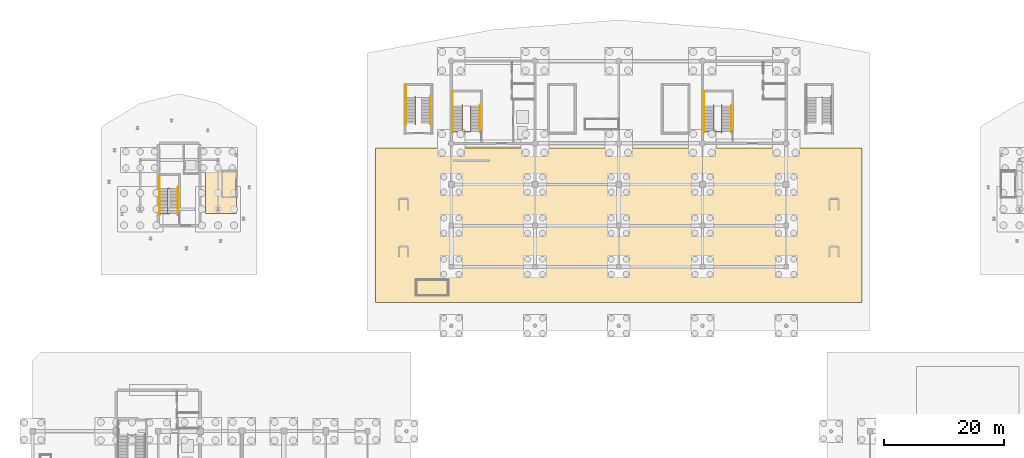
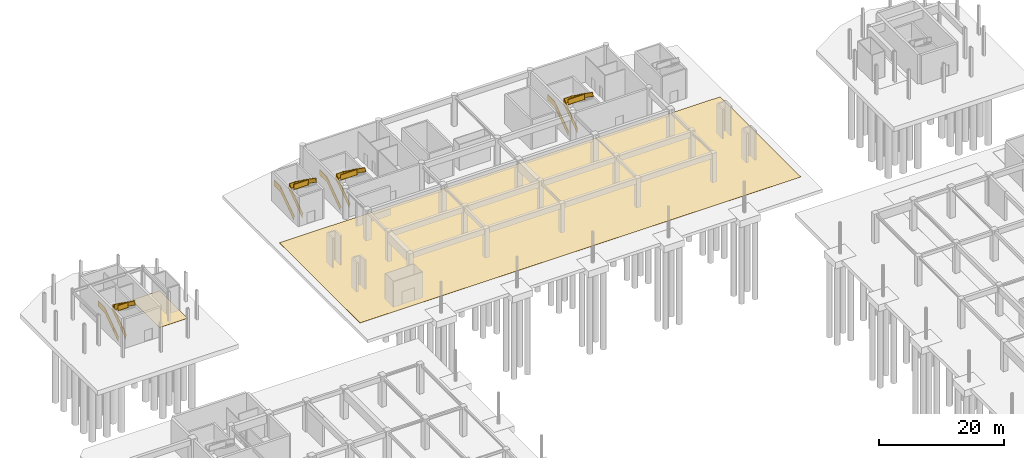
# One storey, part 60 of 62: 12 railings, 2 coverings.
"""IFC4 building model written with IfcOpenShell, lengths in metres."""

from ifc_helpers import new_model, si_unit, direction, frame, origin, origin_2d, place, context, subcontext, project, spatial, polyline, rectangle, outline, extrude, material, layer, layer_set, type_object, element, save


model = new_model("IFC4")

# Units and contexts
model_context = context("Model", 3, precision=1e-05, world=origin(), true_north=direction((0.0, 1.0)))
body_context = subcontext(model_context, "Body", "Model", "MODEL_VIEW")
ifc_project = project(units=[si_unit("LENGTHUNIT", "METRE"), si_unit("AREAUNIT", "SQUARE_METRE"), si_unit("VOLUMEUNIT", "CUBIC_METRE"), si_unit("PLANEANGLEUNIT", "RADIAN"), si_unit("MASSUNIT", "GRAM", prefix="KILO")], contexts=[model_context])

# Site, building, storey
site_placement = place(None, origin())
site = spatial("IfcSite", under=ifc_project, at=site_placement, CompositionType="ELEMENT")
building_placement = place(site_placement, origin())
building = spatial("IfcBuilding", under=site, at=building_placement, Name="Linyun Crest Stadium", CompositionType="ELEMENT")
storey_placement = place(building_placement, frame((0.0, 0.0, -6.0)))
storey = spatial("IfcBuildingStorey", under=building, at=storey_placement, Name="B1", CompositionType="ELEMENT", Elevation=-6.0)

# Coverings
ifc_material_1 = material(Name="Polymeric cushioned multi-sport athletic flooring")
ifc_layer = layer(ifc_material_1, 0.01806640625)
ifc_layer_set = layer_set([ifc_layer], Name="Polymeric cushioned multi-sport athletic flooring")
covering_type = type_object("IfcCoveringType", Name="FLR01", PredefinedType="FLOORING", material=ifc_layer_set)
covering_1_placement = place(storey_placement, origin())
element("IfcCovering", 1, at=covering_1_placement, inside=storey, type_object=covering_type, Name="Athletic flooring FLR01 5", PredefinedType="FLOORING", context=body_context, shape_type="SweptSolid", body=[
    extrude(outline(polyline([(-40.699951171875, 64.89990234375), (40.699951171875, 64.89990234375), (40.699951171875, 90.699951171875), (-40.699951171875, 90.699951171875), (-40.699951171875, 64.89990234375)])), origin(), (0.0, 0.0, 1.0), 0.01806640625),
])
covering_2_placement = place(storey_placement, origin())
element("IfcCovering", 2, at=covering_2_placement, inside=storey, type_object=covering_type, Name="Athletic flooring FLR01 66", PredefinedType="FLOORING", context=body_context, shape_type="SweptSolid", body=[
    extrude(outline(polyline([(-69.10009765625, 79.800048828125), (-63.89990234375, 79.800048828125), (-63.89990234375, 88.699951171875), (-69.10009765625, 88.699951171875), (-69.10009765625, 79.800048828125)])), origin(), (0.0, 0.0, 1.0), 0.01806640625),
])

# Railings
ifc_material_2 = material(Name="Painted steel stairwell safety guard", Category="steel")
railing_type_1 = type_object("IfcRailingType", Name="GR03", PredefinedType="GUARDRAIL", material=ifc_material_2)
railing_1_placement = place(storey_placement, frame((-27.794921875, 93.489990234375, 0.0)))
element("IfcRailing", 3, at=railing_1_placement, inside=storey, type_object=railing_type_1, Name="STR-07-B1 outer guard", PredefinedType="GUARDRAIL", context=body_context, shape_type="SweptSolid", body=[
    extrude(rectangle(XDim=0.06005859375, YDim=0.06005859375, at=origin_2d()), frame((0.0, 0.0, 1.090087890625), z_axis=(0.0, 0.816967863265, 0.576683197599), x_axis=(-1.0, 0.0, 0.0)), (0.0, 0.0, 1.0), 5.2021484375),
    extrude(rectangle(XDim=0.030029296875, YDim=1.0, at=origin_2d()), frame((0.0, 0.0, 0.56005859375), z_axis=(0.0, 0.816967863265, 0.576683197599), x_axis=(-1.0, 0.0, 0.0)), (0.0, 0.0, 1.0), 5.2021484375),
    extrude(rectangle(XDim=0.06005859375, YDim=0.06005859375, at=origin_2d()), frame((0.0, 0.0, 0.030029296875), z_axis=(0.0, 0.816967863265, 0.576683197599), x_axis=(-1.0, 0.0, 0.0)), (0.0, 0.0, 1.0), 5.2021484375),
    extrude(rectangle(XDim=0.06005859375, YDim=0.06005859375, at=origin_2d()), frame((0.0, 4.25, 4.090087890625), z_axis=(0.0, 1.0, 0.0), x_axis=(-1.0, 0.0, 0.0)), (0.0, 0.0, 1.0), 2.330078125),
    extrude(rectangle(XDim=0.030029296875, YDim=1.0, at=origin_2d()), frame((0.0, 4.25, 3.56005859375), z_axis=(0.0, 1.0, 0.0), x_axis=(-1.0, 0.0, 0.0)), (0.0, 0.0, 1.0), 2.330078125),
    extrude(rectangle(XDim=0.06005859375, YDim=0.06005859375, at=origin_2d()), frame((0.0, 4.25, 3.030029296875), z_axis=(0.0, 1.0, 0.0), x_axis=(-1.0, 0.0, 0.0)), (0.0, 0.0, 1.0), 2.330078125),
    extrude(rectangle(XDim=0.050048828125, YDim=0.050048828125, at=origin_2d()), origin(), (0.0, 0.0, 1.0), 1.1201171875),
    extrude(rectangle(XDim=0.050048828125, YDim=0.050048828125, at=origin_2d()), frame((0.0, 1.416748046875, 1.0)), (0.0, 0.0, 1.0), 1.1201171875),
    extrude(rectangle(XDim=0.050048828125, YDim=0.050048828125, at=origin_2d()), frame((0.0, 2.833251953125, 2.0)), (0.0, 0.0, 1.0), 1.1201171875),
    extrude(rectangle(XDim=0.050048828125, YDim=0.050048828125, at=origin_2d()), frame((0.0, 4.25, 3.0)), (0.0, 0.0, 1.0), 1.1201171875),
    extrude(rectangle(XDim=0.050048828125, YDim=0.050048828125, at=origin_2d()), frame((0.0, 5.4150390625, 3.0)), (0.0, 0.0, 1.0), 1.1201171875),
    extrude(rectangle(XDim=0.050048828125, YDim=0.050048828125, at=origin_2d()), frame((0.0, 6.580078125, 3.0)), (0.0, 0.0, 1.0), 1.1201171875),
])
railing_2_placement = place(storey_placement, frame((-26.155029296875, 93.469970703125, 0.0)))
element("IfcRailing", 4, at=railing_2_placement, inside=storey, type_object=railing_type_1, Name="STR-07-B1 inner well guard", PredefinedType="GUARDRAIL", context=body_context, shape_type="SweptSolid", body=[
    extrude(rectangle(XDim=0.06005859375, YDim=0.06005859375, at=origin_2d()), frame((0.0, 0.0, 1.090087890625), z_axis=(0.0, 0.818241657069, 0.574874412926), x_axis=(-1.0, 0.0, 0.0)), (0.0, 0.0, 1.0), 5.218505859375),
    extrude(rectangle(XDim=0.030029296875, YDim=1.0, at=origin_2d()), frame((0.0, 0.0, 0.56005859375), z_axis=(0.0, 0.818241657069, 0.574874412926), x_axis=(-1.0, 0.0, 0.0)), (0.0, 0.0, 1.0), 5.218505859375),
    extrude(rectangle(XDim=0.06005859375, YDim=0.06005859375, at=origin_2d()), frame((0.0, 0.0, 0.030029296875), z_axis=(0.0, 0.818241657069, 0.574874412926), x_axis=(-1.0, 0.0, 0.0)), (0.0, 0.0, 1.0), 5.218505859375),
    extrude(rectangle(XDim=0.06005859375, YDim=0.06005859375, at=origin_2d()), frame((0.0, 4.27001953125, 4.090087890625), z_axis=(1.0, 0.0, 0.0), x_axis=(0.0, 1.0, 0.0)), (0.0, 0.0, 1.0), 1.385009765625),
    extrude(rectangle(XDim=0.030029296875, YDim=1.0, at=origin_2d()), frame((0.0, 4.27001953125, 3.56005859375), z_axis=(1.0, 0.0, 0.0), x_axis=(0.0, 1.0, 0.0)), (0.0, 0.0, 1.0), 1.385009765625),
    extrude(rectangle(XDim=0.06005859375, YDim=0.06005859375, at=origin_2d()), frame((0.0, 4.27001953125, 3.030029296875), z_axis=(1.0, 0.0, 0.0), x_axis=(0.0, 1.0, 0.0)), (0.0, 0.0, 1.0), 1.385009765625),
    extrude(rectangle(XDim=0.06005859375, YDim=0.06005859375, at=origin_2d()), frame((1.385009765625, 4.27001953125, 4.090087890625), z_axis=(0.0, -0.818241657069, 0.574874412926), x_axis=(1.0, 0.0, 0.0)), (0.0, 0.0, 1.0), 5.218505859375),
    extrude(rectangle(XDim=0.030029296875, YDim=1.0, at=origin_2d()), frame((1.385009765625, 4.27001953125, 3.56005859375), z_axis=(0.0, -0.818241657069, 0.574874412926), x_axis=(1.0, 0.0, 0.0)), (0.0, 0.0, 1.0), 5.218505859375),
    extrude(rectangle(XDim=0.06005859375, YDim=0.06005859375, at=origin_2d()), frame((1.385009765625, 4.27001953125, 3.030029296875), z_axis=(0.0, -0.818241657069, 0.574874412926), x_axis=(1.0, 0.0, 0.0)), (0.0, 0.0, 1.0), 5.218505859375),
    extrude(rectangle(XDim=0.06005859375, YDim=0.06005859375, at=origin_2d()), frame((1.385009765625, 0.0, 7.090087890625), z_axis=(-1.0, 0.0, 0.0), x_axis=(0.0, -1.0, 0.0)), (0.0, 0.0, 1.0), 3.034912109375),
    extrude(rectangle(XDim=0.030029296875, YDim=1.0, at=origin_2d()), frame((1.385009765625, 0.0, 6.56005859375), z_axis=(-1.0, 0.0, 0.0), x_axis=(0.0, -1.0, 0.0)), (0.0, 0.0, 1.0), 3.034912109375),
    extrude(rectangle(XDim=0.06005859375, YDim=0.06005859375, at=origin_2d()), frame((1.385009765625, 0.0, 6.030029296875), z_axis=(-1.0, 0.0, 0.0), x_axis=(0.0, -1.0, 0.0)), (0.0, 0.0, 1.0), 3.034912109375),
    extrude(rectangle(XDim=0.050048828125, YDim=0.050048828125, at=origin_2d()), origin(), (0.0, 0.0, 1.0), 1.1201171875),
    extrude(rectangle(XDim=0.050048828125, YDim=0.050048828125, at=origin_2d()), frame((0.0, 1.42333984375, 1.0)), (0.0, 0.0, 1.0), 1.1201171875),
    extrude(rectangle(XDim=0.050048828125, YDim=0.050048828125, at=origin_2d()), frame((0.0, 2.8466796875, 2.0)), (0.0, 0.0, 1.0), 1.1201171875),
    extrude(rectangle(XDim=0.050048828125, YDim=0.050048828125, at=origin_2d()), frame((0.0, 4.27001953125, 3.0)), (0.0, 0.0, 1.0), 1.1201171875),
    extrude(rectangle(XDim=0.050048828125, YDim=0.050048828125, at=origin_2d()), frame((1.385009765625, 4.27001953125, 3.0)), (0.0, 0.0, 1.0), 1.1201171875),
    extrude(rectangle(XDim=0.050048828125, YDim=0.050048828125, at=origin_2d()), frame((1.385009765625, 2.8466796875, 4.0)), (0.0, 0.0, 1.0), 1.1201171875),
    extrude(rectangle(XDim=0.050048828125, YDim=0.050048828125, at=origin_2d()), frame((1.385009765625, 1.42333984375, 5.0)), (0.0, 0.0, 1.0), 1.1201171875),
    extrude(rectangle(XDim=0.050048828125, YDim=0.050048828125, at=origin_2d()), frame((1.385009765625, 0.0, 6.0)), (0.0, 0.0, 1.0), 1.1201171875),
    extrude(rectangle(XDim=0.050048828125, YDim=0.050048828125, at=origin_2d()), frame((-0.13232421875, 0.0, 6.0)), (0.0, 0.0, 1.0), 1.1201171875),
    extrude(rectangle(XDim=0.050048828125, YDim=0.050048828125, at=origin_2d()), frame((-1.64990234375, 0.0, 6.0)), (0.0, 0.0, 1.0), 1.1201171875),
])
railing_3_placement = place(storey_placement, frame((14.22998046875, 93.489990234375, 0.0)))
element("IfcRailing", 5, at=railing_3_placement, inside=storey, type_object=railing_type_1, Name="STR-08-B1 outer guard", PredefinedType="GUARDRAIL", context=body_context, shape_type="SweptSolid", body=[
    extrude(rectangle(XDim=0.06005859375, YDim=0.06005859375, at=origin_2d()), frame((0.0, 0.0, 1.090087890625), z_axis=(0.0, 0.816967863265, 0.576683197599), x_axis=(-1.0, 0.0, 0.0)), (0.0, 0.0, 1.0), 5.2021484375),
    extrude(rectangle(XDim=0.030029296875, YDim=1.0, at=origin_2d()), frame((0.0, 0.0, 0.56005859375), z_axis=(0.0, 0.816967863265, 0.576683197599), x_axis=(-1.0, 0.0, 0.0)), (0.0, 0.0, 1.0), 5.2021484375),
    extrude(rectangle(XDim=0.06005859375, YDim=0.06005859375, at=origin_2d()), frame((0.0, 0.0, 0.030029296875), z_axis=(0.0, 0.816967863265, 0.576683197599), x_axis=(-1.0, 0.0, 0.0)), (0.0, 0.0, 1.0), 5.2021484375),
    extrude(rectangle(XDim=0.06005859375, YDim=0.06005859375, at=origin_2d()), frame((0.0, 4.25, 4.090087890625), z_axis=(0.0, 1.0, 0.0), x_axis=(-1.0, 0.0, 0.0)), (0.0, 0.0, 1.0), 2.330078125),
    extrude(rectangle(XDim=0.030029296875, YDim=1.0, at=origin_2d()), frame((0.0, 4.25, 3.56005859375), z_axis=(0.0, 1.0, 0.0), x_axis=(-1.0, 0.0, 0.0)), (0.0, 0.0, 1.0), 2.330078125),
    extrude(rectangle(XDim=0.06005859375, YDim=0.06005859375, at=origin_2d()), frame((0.0, 4.25, 3.030029296875), z_axis=(0.0, 1.0, 0.0), x_axis=(-1.0, 0.0, 0.0)), (0.0, 0.0, 1.0), 2.330078125),
    extrude(rectangle(XDim=0.050048828125, YDim=0.050048828125, at=origin_2d()), origin(), (0.0, 0.0, 1.0), 1.1201171875),
    extrude(rectangle(XDim=0.050048828125, YDim=0.050048828125, at=origin_2d()), frame((0.0, 1.416748046875, 1.0)), (0.0, 0.0, 1.0), 1.1201171875),
    extrude(rectangle(XDim=0.050048828125, YDim=0.050048828125, at=origin_2d()), frame((0.0, 2.833251953125, 2.0)), (0.0, 0.0, 1.0), 1.1201171875),
    extrude(rectangle(XDim=0.050048828125, YDim=0.050048828125, at=origin_2d()), frame((0.0, 4.25, 3.0)), (0.0, 0.0, 1.0), 1.1201171875),
    extrude(rectangle(XDim=0.050048828125, YDim=0.050048828125, at=origin_2d()), frame((0.0, 5.4150390625, 3.0)), (0.0, 0.0, 1.0), 1.1201171875),
    extrude(rectangle(XDim=0.050048828125, YDim=0.050048828125, at=origin_2d()), frame((0.0, 6.580078125, 3.0)), (0.0, 0.0, 1.0), 1.1201171875),
])
railing_4_placement = place(storey_placement, frame((15.8701171875, 93.469970703125, 0.0)))
element("IfcRailing", 6, at=railing_4_placement, inside=storey, type_object=railing_type_1, Name="STR-08-B1 inner well guard", PredefinedType="GUARDRAIL", context=body_context, shape_type="SweptSolid", body=[
    extrude(rectangle(XDim=0.06005859375, YDim=0.06005859375, at=origin_2d()), frame((0.0, 0.0, 1.090087890625), z_axis=(0.0, 0.818241657069, 0.574874412926), x_axis=(-1.0, 0.0, 0.0)), (0.0, 0.0, 1.0), 5.218505859375),
    extrude(rectangle(XDim=0.030029296875, YDim=1.0, at=origin_2d()), frame((0.0, 0.0, 0.56005859375), z_axis=(0.0, 0.818241657069, 0.574874412926), x_axis=(-1.0, 0.0, 0.0)), (0.0, 0.0, 1.0), 5.218505859375),
    extrude(rectangle(XDim=0.06005859375, YDim=0.06005859375, at=origin_2d()), frame((0.0, 0.0, 0.030029296875), z_axis=(0.0, 0.818241657069, 0.574874412926), x_axis=(-1.0, 0.0, 0.0)), (0.0, 0.0, 1.0), 5.218505859375),
    extrude(rectangle(XDim=0.06005859375, YDim=0.06005859375, at=origin_2d()), frame((0.0, 4.27001953125, 4.090087890625), z_axis=(1.0, 0.0, 0.0), x_axis=(0.0, 1.0, 0.0)), (0.0, 0.0, 1.0), 1.35986328125),
    extrude(rectangle(XDim=0.030029296875, YDim=1.0, at=origin_2d()), frame((0.0, 4.27001953125, 3.56005859375), z_axis=(1.0, 0.0, 0.0), x_axis=(0.0, 1.0, 0.0)), (0.0, 0.0, 1.0), 1.35986328125),
    extrude(rectangle(XDim=0.06005859375, YDim=0.06005859375, at=origin_2d()), frame((0.0, 4.27001953125, 3.030029296875), z_axis=(1.0, 0.0, 0.0), x_axis=(0.0, 1.0, 0.0)), (0.0, 0.0, 1.0), 1.35986328125),
    extrude(rectangle(XDim=0.06005859375, YDim=0.06005859375, at=origin_2d()), frame((1.35986328125, 4.27001953125, 4.090087890625), z_axis=(0.0, -0.818241657069, 0.574874412926), x_axis=(1.0, 0.0, 0.0)), (0.0, 0.0, 1.0), 5.218505859375),
    extrude(rectangle(XDim=0.030029296875, YDim=1.0, at=origin_2d()), frame((1.35986328125, 4.27001953125, 3.56005859375), z_axis=(0.0, -0.818241657069, 0.574874412926), x_axis=(1.0, 0.0, 0.0)), (0.0, 0.0, 1.0), 5.218505859375),
    extrude(rectangle(XDim=0.06005859375, YDim=0.06005859375, at=origin_2d()), frame((1.35986328125, 4.27001953125, 3.030029296875), z_axis=(0.0, -0.818241657069, 0.574874412926), x_axis=(1.0, 0.0, 0.0)), (0.0, 0.0, 1.0), 5.218505859375),
    extrude(rectangle(XDim=0.06005859375, YDim=0.06005859375, at=origin_2d()), frame((1.35986328125, 0.0, 7.090087890625), z_axis=(-1.0, 0.0, 0.0), x_axis=(0.0, -1.0, 0.0)), (0.0, 0.0, 1.0), 3.010009765625),
    extrude(rectangle(XDim=0.030029296875, YDim=1.0, at=origin_2d()), frame((1.35986328125, 0.0, 6.56005859375), z_axis=(-1.0, 0.0, 0.0), x_axis=(0.0, -1.0, 0.0)), (0.0, 0.0, 1.0), 3.010009765625),
    extrude(rectangle(XDim=0.06005859375, YDim=0.06005859375, at=origin_2d()), frame((1.35986328125, 0.0, 6.030029296875), z_axis=(-1.0, 0.0, 0.0), x_axis=(0.0, -1.0, 0.0)), (0.0, 0.0, 1.0), 3.010009765625),
    extrude(rectangle(XDim=0.050048828125, YDim=0.050048828125, at=origin_2d()), origin(), (0.0, 0.0, 1.0), 1.1201171875),
    extrude(rectangle(XDim=0.050048828125, YDim=0.050048828125, at=origin_2d()), frame((0.0, 1.42333984375, 1.0)), (0.0, 0.0, 1.0), 1.1201171875),
    extrude(rectangle(XDim=0.050048828125, YDim=0.050048828125, at=origin_2d()), frame((0.0, 2.8466796875, 2.0)), (0.0, 0.0, 1.0), 1.1201171875),
    extrude(rectangle(XDim=0.050048828125, YDim=0.050048828125, at=origin_2d()), frame((0.0, 4.27001953125, 3.0)), (0.0, 0.0, 1.0), 1.1201171875),
    extrude(rectangle(XDim=0.050048828125, YDim=0.050048828125, at=origin_2d()), frame((1.35986328125, 4.27001953125, 3.0)), (0.0, 0.0, 1.0), 1.1201171875),
    extrude(rectangle(XDim=0.050048828125, YDim=0.050048828125, at=origin_2d()), frame((1.35986328125, 2.8466796875, 4.0)), (0.0, 0.0, 1.0), 1.1201171875),
    extrude(rectangle(XDim=0.050048828125, YDim=0.050048828125, at=origin_2d()), frame((1.35986328125, 1.42333984375, 5.0)), (0.0, 0.0, 1.0), 1.1201171875),
    extrude(rectangle(XDim=0.050048828125, YDim=0.050048828125, at=origin_2d()), frame((1.35986328125, 0.0, 6.0)), (0.0, 0.0, 1.0), 1.1201171875),
    extrude(rectangle(XDim=0.050048828125, YDim=0.050048828125, at=origin_2d()), frame((-0.14501953125, 0.0, 6.0)), (0.0, 0.0, 1.0), 1.1201171875),
    extrude(rectangle(XDim=0.050048828125, YDim=0.050048828125, at=origin_2d()), frame((-1.650146484375, 0.0, 6.0)), (0.0, 0.0, 1.0), 1.1201171875),
])
railing_5_placement = place(storey_placement, frame((-76.77001953125, 79.739990234375, 0.0)))
element("IfcRailing", 7, at=railing_5_placement, inside=storey, type_object=railing_type_1, Name="STR-11-B1 outer guard", PredefinedType="GUARDRAIL", context=body_context, shape_type="SweptSolid", body=[
    extrude(rectangle(XDim=0.06005859375, YDim=0.06005859375, at=origin_2d()), frame((0.0, 0.0, 1.090087890625), z_axis=(0.0, 0.816967863265, 0.576683197599), x_axis=(-1.0, 0.0, 0.0)), (0.0, 0.0, 1.0), 5.2021484375),
    extrude(rectangle(XDim=0.030029296875, YDim=1.0, at=origin_2d()), frame((0.0, 0.0, 0.56005859375), z_axis=(0.0, 0.816967863265, 0.576683197599), x_axis=(-1.0, 0.0, 0.0)), (0.0, 0.0, 1.0), 5.2021484375),
    extrude(rectangle(XDim=0.06005859375, YDim=0.06005859375, at=origin_2d()), frame((0.0, 0.0, 0.030029296875), z_axis=(0.0, 0.816967863265, 0.576683197599), x_axis=(-1.0, 0.0, 0.0)), (0.0, 0.0, 1.0), 5.2021484375),
    extrude(rectangle(XDim=0.06005859375, YDim=0.06005859375, at=origin_2d()), frame((0.0, 4.25, 4.090087890625), z_axis=(0.0, 1.0, 0.0), x_axis=(-1.0, 0.0, 0.0)), (0.0, 0.0, 1.0), 2.130126953125),
    extrude(rectangle(XDim=0.030029296875, YDim=1.0, at=origin_2d()), frame((0.0, 4.25, 3.56005859375), z_axis=(0.0, 1.0, 0.0), x_axis=(-1.0, 0.0, 0.0)), (0.0, 0.0, 1.0), 2.130126953125),
    extrude(rectangle(XDim=0.06005859375, YDim=0.06005859375, at=origin_2d()), frame((0.0, 4.25, 3.030029296875), z_axis=(0.0, 1.0, 0.0), x_axis=(-1.0, 0.0, 0.0)), (0.0, 0.0, 1.0), 2.130126953125),
    extrude(rectangle(XDim=0.050048828125, YDim=0.050048828125, at=origin_2d()), origin(), (0.0, 0.0, 1.0), 1.1201171875),
    extrude(rectangle(XDim=0.050048828125, YDim=0.050048828125, at=origin_2d()), frame((0.0, 1.416748046875, 1.0)), (0.0, 0.0, 1.0), 1.1201171875),
    extrude(rectangle(XDim=0.050048828125, YDim=0.050048828125, at=origin_2d()), frame((0.0, 2.833251953125, 2.0)), (0.0, 0.0, 1.0), 1.1201171875),
    extrude(rectangle(XDim=0.050048828125, YDim=0.050048828125, at=origin_2d()), frame((0.0, 4.25, 3.0)), (0.0, 0.0, 1.0), 1.1201171875),
    extrude(rectangle(XDim=0.050048828125, YDim=0.050048828125, at=origin_2d()), frame((0.0, 5.31494140625, 3.0)), (0.0, 0.0, 1.0), 1.1201171875),
    extrude(rectangle(XDim=0.050048828125, YDim=0.050048828125, at=origin_2d()), frame((0.0, 6.380126953125, 3.0)), (0.0, 0.0, 1.0), 1.1201171875),
])
railing_6_placement = place(storey_placement, frame((-75.3798828125, 79.719970703125, 0.0)))
element("IfcRailing", 8, at=railing_6_placement, inside=storey, type_object=railing_type_1, Name="STR-11-B1 inner well guard", PredefinedType="GUARDRAIL", context=body_context, shape_type="SweptSolid", body=[
    extrude(rectangle(XDim=0.06005859375, YDim=0.06005859375, at=origin_2d()), frame((0.0, 0.0, 1.090087890625), z_axis=(0.0, 0.818241657069, 0.574874412926), x_axis=(-1.0, 0.0, 0.0)), (0.0, 0.0, 1.0), 5.218505859375),
    extrude(rectangle(XDim=0.030029296875, YDim=1.0, at=origin_2d()), frame((0.0, 0.0, 0.56005859375), z_axis=(0.0, 0.818241657069, 0.574874412926), x_axis=(-1.0, 0.0, 0.0)), (0.0, 0.0, 1.0), 5.218505859375),
    extrude(rectangle(XDim=0.06005859375, YDim=0.06005859375, at=origin_2d()), frame((0.0, 0.0, 0.030029296875), z_axis=(0.0, 0.818241657069, 0.574874412926), x_axis=(-1.0, 0.0, 0.0)), (0.0, 0.0, 1.0), 5.218505859375),
    extrude(rectangle(XDim=0.06005859375, YDim=0.06005859375, at=origin_2d()), frame((0.0, 4.27001953125, 4.090087890625), z_axis=(1.0, 0.0, 0.0), x_axis=(0.0, 1.0, 0.0)), (0.0, 0.0, 1.0), 0.35986328125),
    extrude(rectangle(XDim=0.030029296875, YDim=1.0, at=origin_2d()), frame((0.0, 4.27001953125, 3.56005859375), z_axis=(1.0, 0.0, 0.0), x_axis=(0.0, 1.0, 0.0)), (0.0, 0.0, 1.0), 0.35986328125),
    extrude(rectangle(XDim=0.06005859375, YDim=0.06005859375, at=origin_2d()), frame((0.0, 4.27001953125, 3.030029296875), z_axis=(1.0, 0.0, 0.0), x_axis=(0.0, 1.0, 0.0)), (0.0, 0.0, 1.0), 0.35986328125),
    extrude(rectangle(XDim=0.06005859375, YDim=0.06005859375, at=origin_2d()), frame((0.35986328125, 4.27001953125, 4.090087890625), z_axis=(0.0, -0.818241657069, 0.574874412926), x_axis=(1.0, 0.0, 0.0)), (0.0, 0.0, 1.0), 5.218505859375),
    extrude(rectangle(XDim=0.030029296875, YDim=1.0, at=origin_2d()), frame((0.35986328125, 4.27001953125, 3.56005859375), z_axis=(0.0, -0.818241657069, 0.574874412926), x_axis=(1.0, 0.0, 0.0)), (0.0, 0.0, 1.0), 5.218505859375),
    extrude(rectangle(XDim=0.06005859375, YDim=0.06005859375, at=origin_2d()), frame((0.35986328125, 4.27001953125, 3.030029296875), z_axis=(0.0, -0.818241657069, 0.574874412926), x_axis=(1.0, 0.0, 0.0)), (0.0, 0.0, 1.0), 5.218505859375),
    extrude(rectangle(XDim=0.06005859375, YDim=0.06005859375, at=origin_2d()), frame((0.35986328125, 0.0, 7.090087890625), z_axis=(-1.0, 0.0, 0.0), x_axis=(0.0, -1.0, 0.0)), (0.0, 0.0, 1.0), 1.760009765625),
    extrude(rectangle(XDim=0.030029296875, YDim=1.0, at=origin_2d()), frame((0.35986328125, 0.0, 6.56005859375), z_axis=(-1.0, 0.0, 0.0), x_axis=(0.0, -1.0, 0.0)), (0.0, 0.0, 1.0), 1.760009765625),
    extrude(rectangle(XDim=0.06005859375, YDim=0.06005859375, at=origin_2d()), frame((0.35986328125, 0.0, 6.030029296875), z_axis=(-1.0, 0.0, 0.0), x_axis=(0.0, -1.0, 0.0)), (0.0, 0.0, 1.0), 1.760009765625),
    extrude(rectangle(XDim=0.050048828125, YDim=0.050048828125, at=origin_2d()), origin(), (0.0, 0.0, 1.0), 1.1201171875),
    extrude(rectangle(XDim=0.050048828125, YDim=0.050048828125, at=origin_2d()), frame((0.0, 1.42333984375, 1.0)), (0.0, 0.0, 1.0), 1.1201171875),
    extrude(rectangle(XDim=0.050048828125, YDim=0.050048828125, at=origin_2d()), frame((0.0, 2.8466796875, 2.0)), (0.0, 0.0, 1.0), 1.1201171875),
    extrude(rectangle(XDim=0.050048828125, YDim=0.050048828125, at=origin_2d()), frame((0.0, 4.27001953125, 3.0)), (0.0, 0.0, 1.0), 1.1201171875),
    extrude(rectangle(XDim=0.050048828125, YDim=0.050048828125, at=origin_2d()), frame((0.35986328125, 4.27001953125, 3.0)), (0.0, 0.0, 1.0), 1.1201171875),
    extrude(rectangle(XDim=0.050048828125, YDim=0.050048828125, at=origin_2d()), frame((0.35986328125, 2.8466796875, 4.0)), (0.0, 0.0, 1.0), 1.1201171875),
    extrude(rectangle(XDim=0.050048828125, YDim=0.050048828125, at=origin_2d()), frame((0.35986328125, 1.42333984375, 5.0)), (0.0, 0.0, 1.0), 1.1201171875),
    extrude(rectangle(XDim=0.050048828125, YDim=0.050048828125, at=origin_2d()), frame((0.35986328125, 0.0, 6.0)), (0.0, 0.0, 1.0), 1.1201171875),
    extrude(rectangle(XDim=0.050048828125, YDim=0.050048828125, at=origin_2d()), frame((-1.400146484375, 0.0, 6.0)), (0.0, 0.0, 1.0), 1.1201171875),
])
railing_7_placement = place(storey_placement, frame((-35.570068359375, 94.919921875, 0.0)))
element("IfcRailing", 9, at=railing_7_placement, inside=storey, type_object=railing_type_1, Name="STR-23-B1 outer guard", PredefinedType="GUARDRAIL", context=body_context, shape_type="SweptSolid", body=[
    extrude(rectangle(XDim=0.06005859375, YDim=0.06005859375, at=origin_2d()), frame((0.0, 0.0, 1.090087890625), z_axis=(0.0, 0.816967863265, 0.576683197599), x_axis=(-1.0, 0.0, 0.0)), (0.0, 0.0, 1.0), 5.2021484375),
    extrude(rectangle(XDim=0.030029296875, YDim=1.0, at=origin_2d()), frame((0.0, 0.0, 0.56005859375), z_axis=(0.0, 0.816967863265, 0.576683197599), x_axis=(-1.0, 0.0, 0.0)), (0.0, 0.0, 1.0), 5.2021484375),
    extrude(rectangle(XDim=0.06005859375, YDim=0.06005859375, at=origin_2d()), frame((0.0, 0.0, 0.030029296875), z_axis=(0.0, 0.816967863265, 0.576683197599), x_axis=(-1.0, 0.0, 0.0)), (0.0, 0.0, 1.0), 5.2021484375),
    extrude(rectangle(XDim=0.06005859375, YDim=0.06005859375, at=origin_2d()), frame((0.0, 4.25, 4.090087890625), z_axis=(0.0, 1.0, 0.0), x_axis=(-1.0, 0.0, 0.0)), (0.0, 0.0, 1.0), 2.0),
    extrude(rectangle(XDim=0.030029296875, YDim=1.0, at=origin_2d()), frame((0.0, 4.25, 3.56005859375), z_axis=(0.0, 1.0, 0.0), x_axis=(-1.0, 0.0, 0.0)), (0.0, 0.0, 1.0), 2.0),
    extrude(rectangle(XDim=0.06005859375, YDim=0.06005859375, at=origin_2d()), frame((0.0, 4.25, 3.030029296875), z_axis=(0.0, 1.0, 0.0), x_axis=(-1.0, 0.0, 0.0)), (0.0, 0.0, 1.0), 2.0),
    extrude(rectangle(XDim=0.050048828125, YDim=0.050048828125, at=origin_2d()), origin(), (0.0, 0.0, 1.0), 1.1201171875),
    extrude(rectangle(XDim=0.050048828125, YDim=0.050048828125, at=origin_2d()), frame((0.0, 1.416748046875, 1.0)), (0.0, 0.0, 1.0), 1.1201171875),
    extrude(rectangle(XDim=0.050048828125, YDim=0.050048828125, at=origin_2d()), frame((0.0, 2.833251953125, 2.0)), (0.0, 0.0, 1.0), 1.1201171875),
    extrude(rectangle(XDim=0.050048828125, YDim=0.050048828125, at=origin_2d()), frame((0.0, 4.25, 3.0)), (0.0, 0.0, 1.0), 1.1201171875),
    extrude(rectangle(XDim=0.050048828125, YDim=0.050048828125, at=origin_2d()), frame((0.0, 6.25, 3.0)), (0.0, 0.0, 1.0), 1.1201171875),
])
railing_8_placement = place(storey_placement, frame((-34.030029296875, 94.89990234375, 0.0)))
element("IfcRailing", 10, at=railing_8_placement, inside=storey, type_object=railing_type_1, Name="STR-23-B1 inner well guard", PredefinedType="GUARDRAIL", context=body_context, shape_type="SweptSolid", body=[
    extrude(rectangle(XDim=0.06005859375, YDim=0.06005859375, at=origin_2d()), frame((0.0, 0.0, 1.090087890625), z_axis=(0.0, 0.818241657069, 0.574874412926), x_axis=(-1.0, 0.0, 0.0)), (0.0, 0.0, 1.0), 5.218505859375),
    extrude(rectangle(XDim=0.030029296875, YDim=1.0, at=origin_2d()), frame((0.0, 0.0, 0.56005859375), z_axis=(0.0, 0.818241657069, 0.574874412926), x_axis=(-1.0, 0.0, 0.0)), (0.0, 0.0, 1.0), 5.218505859375),
    extrude(rectangle(XDim=0.06005859375, YDim=0.06005859375, at=origin_2d()), frame((0.0, 0.0, 0.030029296875), z_axis=(0.0, 0.818241657069, 0.574874412926), x_axis=(-1.0, 0.0, 0.0)), (0.0, 0.0, 1.0), 5.218505859375),
    extrude(rectangle(XDim=0.06005859375, YDim=0.06005859375, at=origin_2d()), frame((0.0, 4.27001953125, 4.090087890625), z_axis=(1.0, 0.0, 0.0), x_axis=(0.0, 1.0, 0.0)), (0.0, 0.0, 1.0), 1.06005859375),
    extrude(rectangle(XDim=0.030029296875, YDim=1.0, at=origin_2d()), frame((0.0, 4.27001953125, 3.56005859375), z_axis=(1.0, 0.0, 0.0), x_axis=(0.0, 1.0, 0.0)), (0.0, 0.0, 1.0), 1.06005859375),
    extrude(rectangle(XDim=0.06005859375, YDim=0.06005859375, at=origin_2d()), frame((0.0, 4.27001953125, 3.030029296875), z_axis=(1.0, 0.0, 0.0), x_axis=(0.0, 1.0, 0.0)), (0.0, 0.0, 1.0), 1.06005859375),
    extrude(rectangle(XDim=0.06005859375, YDim=0.06005859375, at=origin_2d()), frame((1.06005859375, 4.27001953125, 4.090087890625), z_axis=(0.0, -0.818241657069, 0.574874412926), x_axis=(1.0, 0.0, 0.0)), (0.0, 0.0, 1.0), 5.218505859375),
    extrude(rectangle(XDim=0.030029296875, YDim=1.0, at=origin_2d()), frame((1.06005859375, 4.27001953125, 3.56005859375), z_axis=(0.0, -0.818241657069, 0.574874412926), x_axis=(1.0, 0.0, 0.0)), (0.0, 0.0, 1.0), 5.218505859375),
    extrude(rectangle(XDim=0.06005859375, YDim=0.06005859375, at=origin_2d()), frame((1.06005859375, 4.27001953125, 3.030029296875), z_axis=(0.0, -0.818241657069, 0.574874412926), x_axis=(1.0, 0.0, 0.0)), (0.0, 0.0, 1.0), 5.218505859375),
    extrude(rectangle(XDim=0.06005859375, YDim=0.06005859375, at=origin_2d()), frame((1.06005859375, 0.0, 7.090087890625), z_axis=(-1.0, 0.0, 0.0), x_axis=(0.0, -1.0, 0.0)), (0.0, 0.0, 1.0), 2.610107421875),
    extrude(rectangle(XDim=0.030029296875, YDim=1.0, at=origin_2d()), frame((1.06005859375, 0.0, 6.56005859375), z_axis=(-1.0, 0.0, 0.0), x_axis=(0.0, -1.0, 0.0)), (0.0, 0.0, 1.0), 2.610107421875),
    extrude(rectangle(XDim=0.06005859375, YDim=0.06005859375, at=origin_2d()), frame((1.06005859375, 0.0, 6.030029296875), z_axis=(-1.0, 0.0, 0.0), x_axis=(0.0, -1.0, 0.0)), (0.0, 0.0, 1.0), 2.610107421875),
    extrude(rectangle(XDim=0.050048828125, YDim=0.050048828125, at=origin_2d()), origin(), (0.0, 0.0, 1.0), 1.1201171875),
    extrude(rectangle(XDim=0.050048828125, YDim=0.050048828125, at=origin_2d()), frame((0.0, 1.42333984375, 1.0)), (0.0, 0.0, 1.0), 1.1201171875),
    extrude(rectangle(XDim=0.050048828125, YDim=0.050048828125, at=origin_2d()), frame((0.0, 2.8466796875, 2.0)), (0.0, 0.0, 1.0), 1.1201171875),
    extrude(rectangle(XDim=0.050048828125, YDim=0.050048828125, at=origin_2d()), frame((0.0, 4.27001953125, 3.0)), (0.0, 0.0, 1.0), 1.1201171875),
    extrude(rectangle(XDim=0.050048828125, YDim=0.050048828125, at=origin_2d()), frame((1.06005859375, 4.27001953125, 3.0)), (0.0, 0.0, 1.0), 1.1201171875),
    extrude(rectangle(XDim=0.050048828125, YDim=0.050048828125, at=origin_2d()), frame((1.06005859375, 2.8466796875, 4.0)), (0.0, 0.0, 1.0), 1.1201171875),
    extrude(rectangle(XDim=0.050048828125, YDim=0.050048828125, at=origin_2d()), frame((1.06005859375, 1.42333984375, 5.0)), (0.0, 0.0, 1.0), 1.1201171875),
    extrude(rectangle(XDim=0.050048828125, YDim=0.050048828125, at=origin_2d()), frame((1.06005859375, 0.0, 6.0)), (0.0, 0.0, 1.0), 1.1201171875),
    extrude(rectangle(XDim=0.050048828125, YDim=0.050048828125, at=origin_2d()), frame((-0.2451171875, 0.0, 6.0)), (0.0, 0.0, 1.0), 1.1201171875),
    extrude(rectangle(XDim=0.050048828125, YDim=0.050048828125, at=origin_2d()), frame((-1.550048828125, 0.0, 6.0)), (0.0, 0.0, 1.0), 1.1201171875),
])
ifc_material_3 = material(Name="Brushed stainless steel tubular handrail", Category="steel")
railing_type_2 = type_object("IfcRailingType", Name="HR01", PredefinedType="HANDRAIL", material=ifc_material_3)
for number, where, name in (
    (11, (-23.179931640625, 97.739990234375, 3.0), "STR-07-B1 handrail"),
    (12, (18.820068359375, 97.739990234375, 3.0), "STR-08-B1 handrail"),
    (13, (-73.679931640625, 83.989990234375, 3.0), "STR-11-B1 handrail"),
    (14, (-31.47998046875, 99.169921875, 3.0), "STR-23-B1 handrail"),
):
    element("IfcRailing", number, at=place(storey_placement, frame(where)), inside=storey, type_object=railing_type_2, Name=name, PredefinedType="HANDRAIL", context=body_context, shape_type="SweptSolid", body=[
        extrude(rectangle(XDim=0.06005859375, YDim=0.06005859375, at=origin_2d()), frame((0.0, 0.0, 0.889892578125), z_axis=(0.0, -0.816967863265, 0.576683197599), x_axis=(1.0, 0.0, 0.0)), (0.0, 0.0, 1.0), 5.2021484375),
        extrude(rectangle(XDim=0.030029296875, YDim=0.7998046875, at=origin_2d()), frame((0.0, 0.0, 0.4599609375), z_axis=(0.0, -0.816967863265, 0.576683197599), x_axis=(1.0, 0.0, 0.0)), (0.0, 0.0, 1.0), 5.2021484375),
        extrude(rectangle(XDim=0.06005859375, YDim=0.06005859375, at=origin_2d()), frame((0.0, 0.0, 0.030029296875), z_axis=(0.0, -0.816967863265, 0.576683197599), x_axis=(1.0, 0.0, 0.0)), (0.0, 0.0, 1.0), 5.2021484375),
        extrude(rectangle(XDim=0.050048828125, YDim=0.050048828125, at=origin_2d()), origin(), (0.0, 0.0, 1.0), 0.919921875),
        extrude(rectangle(XDim=0.050048828125, YDim=0.050048828125, at=origin_2d()), frame((0.0, -1.416748046875, 1.0)), (0.0, 0.0, 1.0), 0.919921875),
        extrude(rectangle(XDim=0.050048828125, YDim=0.050048828125, at=origin_2d()), frame((0.0, -2.833251953125, 2.0)), (0.0, 0.0, 1.0), 0.919921875),
        extrude(rectangle(XDim=0.050048828125, YDim=0.050048828125, at=origin_2d()), frame((0.0, -4.25, 3.0)), (0.0, 0.0, 1.0), 0.919921875),
    ])

save(model, "model.ifc")
